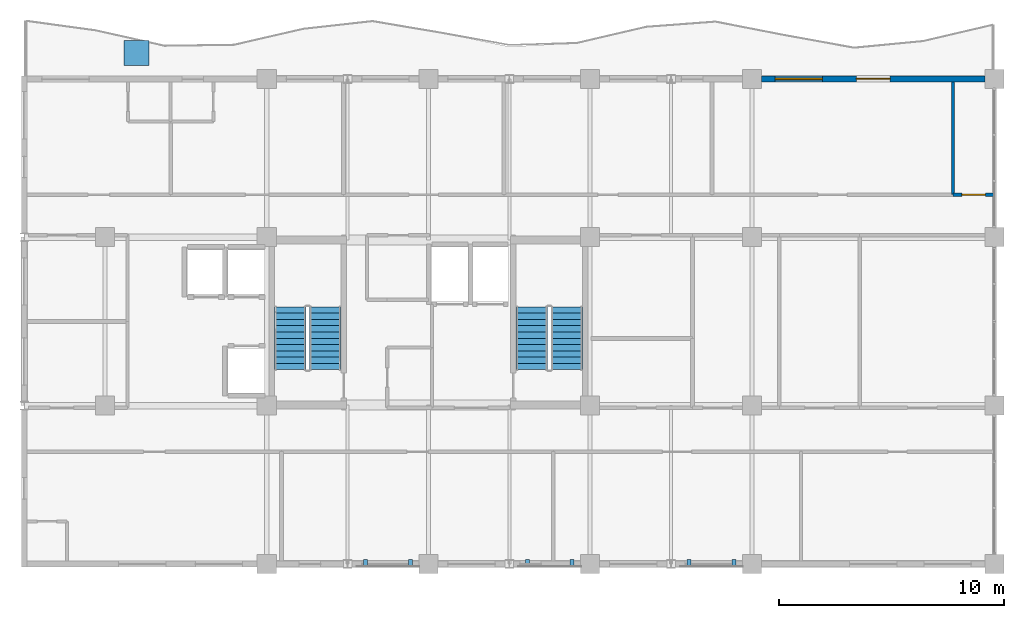
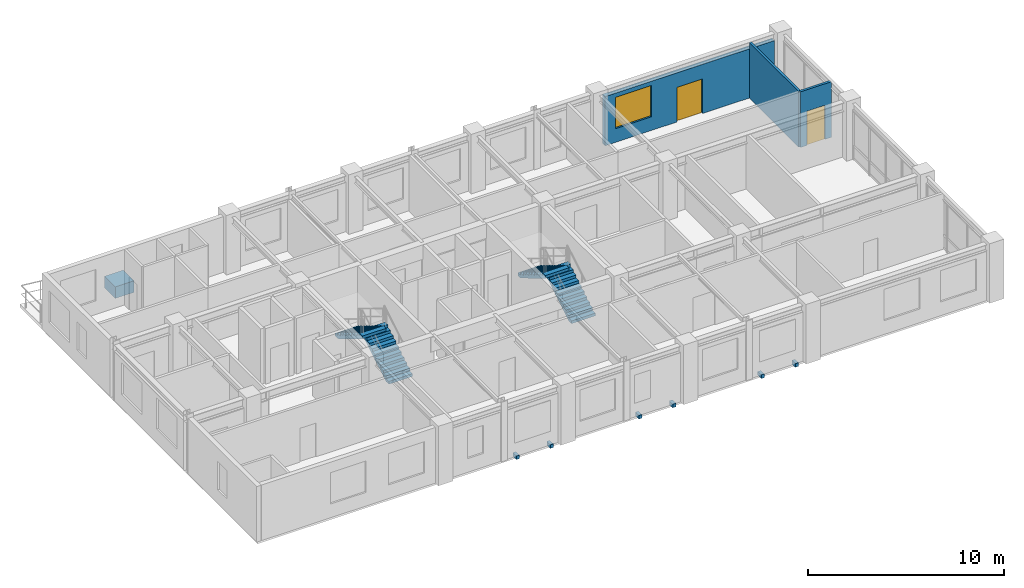
# One storey, part 9 of 11: 7 discrete accessories, 4 stair flights, 3 walls, 2 doors, 1 window, 3 openings, 2 elements without a shape of their own.
"""IFC4 building model written with IfcOpenShell, lengths in metres."""

from ifc_helpers import new_model, si_unit, direction, frame, frame_2d, origin, origin_2d, place, context, subcontext, project, spatial, polyline, rectangle, outline, extrude, source, transform, mapped, material, layer, layer_set, type_object, element, fill, aggregate, save


model = new_model("IFC4")

# Units and contexts
model_context = context("Model", 3, precision=1e-05, world=origin(), true_north=direction((0.0, 1.0)))
body_context = subcontext(model_context, "Body", "Model", "MODEL_VIEW")
ifc_project = project(units=[si_unit("LENGTHUNIT", "METRE"), si_unit("AREAUNIT", "SQUARE_METRE"), si_unit("VOLUMEUNIT", "CUBIC_METRE"), si_unit("PLANEANGLEUNIT", "RADIAN"), si_unit("MASSUNIT", "GRAM", prefix="KILO")], contexts=[model_context])

# Site, building, storey
site_placement = place(None, origin())
site = spatial("IfcSite", under=ifc_project, at=site_placement, CompositionType="ELEMENT")
building_placement = place(site_placement, origin())
building = spatial("IfcBuilding", under=site, at=building_placement, Name="Kaliganga Portal Commons", CompositionType="ELEMENT")
storey_placement = place(building_placement, frame((0.0, 0.0, 264.699951171875)))
storey = spatial("IfcBuildingStorey", under=building, at=storey_placement, Name="L68", CompositionType="ELEMENT", Elevation=264.699951171875)

# Wall, openings, door, window
ifc_material_1 = material(Name="Insulated Aluminium-Clad Spandrel Assembly", Category="aluminium")
ifc_layer_1 = layer(ifc_material_1, 0.260009765625)
ifc_layer_set_1 = layer_set([ifc_layer_1], Name="Insulated Aluminium-Clad Spandrel Assembly")
wall_type_1 = type_object("IfcWallType", Name="WL-EXT-SPAND-260", PredefinedType="STANDARD", material=ifc_layer_set_1)
wall_1_placement = place(storey_placement, frame((36.426025390625, 43.199951171875, 0.0), z_axis=(0.0, 0.0, 1.0), x_axis=(1.0, 0.0, 0.0)))
wall_1 = element("IfcWall", 1, at=wall_1_placement, inside=storey, type_object=wall_type_1, Name="Exterior Envelope Wall L68 P1-E02-S1", PredefinedType="STANDARD", context=body_context, shape_type="SweptSolid", body=[
    extrude(rectangle(XDim=9.947998046875, YDim=0.260009765625, at=frame_2d((4.97412109375, 0.0))), origin(), (0.0, 0.0, 1.0), 3.054931640625),
])
opening_1_placement = place(wall_1_placement, frame((4.22412109375, 0.0, 0.0)))
opening_1 = element("IfcOpeningElement", 2, at=opening_1_placement, cuts=wall_1, Name="Opening BD-01", PredefinedType="OPENING", context=body_context, shape_type="SweptSolid", body=[
    extrude(rectangle(XDim=1.5, YDim=2.14990234375, at=frame_2d((0.75, 1.074951171875))), frame((0.0, 0.14013671875, 0.0), z_axis=(0.0, -1.0, 0.0), x_axis=(1.0, 0.0, 0.0)), (0.0, 0.0, 1.0), 0.280029296875),
])
opening_2_placement = place(wall_1_placement, frame((0.60791015625, 0.0, 0.85009765625)))
opening_2 = element("IfcOpeningElement", 3, at=opening_2_placement, cuts=wall_1, Name="Opening W-06", PredefinedType="OPENING", context=body_context, shape_type="SweptSolid", body=[
    extrude(rectangle(XDim=2.10009765625, YDim=1.949951171875, at=frame_2d((1.050048828125, 0.97509765625))), frame((0.0, 0.14013671875, 0.0), z_axis=(0.0, -1.0, 0.0), x_axis=(1.0, 0.0, 0.0)), (0.0, 0.0, 1.0), 0.280029296875),
])
ifc_material_2 = material(Name="Anodized Aluminium and Laminated Safety Glass", Category="aluminium")
door_type_1 = type_object("IfcDoorType", Name="DR-BALC-1500", OperationType="SLIDING_TO_LEFT", PredefinedType="DOOR", material=ifc_material_2)
door_1_placement = place(opening_1_placement, origin())
door_1 = element("IfcDoor", 4, at=door_1_placement, inside=storey, type_object=door_type_1, Name="Balcony Sliding Door L68 balc_north", OperationType="SLIDING_TO_LEFT", OverallHeight=2.14990234375, OverallWidth=1.5, PredefinedType="DOOR", context=body_context, shape_type="SweptSolid", body=[
    extrude(rectangle(XDim=1.5, YDim=2.14990234375, at=frame_2d((0.75, 1.074951171875))), frame((0.0, 0.02490234375, 0.0), z_axis=(0.0, -1.0, 0.0), x_axis=(1.0, 0.0, 0.0)), (0.0, 0.0, 1.0), 0.050048828125),
])
fill(opening_1, door_1)
ifc_material_3 = material(Name="Thermally Broken Aluminium and Low-E Double Glazing", Category="aluminium")
window_type = type_object("IfcWindowType", Name="WIN-PAN-2100", PartitioningType="DOUBLE_PANEL_VERTICAL", PredefinedType="WINDOW", material=ifc_material_3)
window_placement = place(opening_2_placement, origin())
window = element("IfcWindow", 5, at=window_placement, inside=storey, type_object=window_type, Name="Facade Window L68-P1E02S1-00", OverallHeight=1.949951171875, OverallWidth=2.10009765625, PartitioningType="SINGLE_PANEL", PredefinedType="WINDOW", context=body_context, shape_type="SweptSolid", body=[
    extrude(rectangle(XDim=2.10009765625, YDim=1.949951171875, at=frame_2d((1.050048828125, 0.97509765625))), frame((0.0, 0.030029296875, 0.0), z_axis=(0.0, -1.0, 0.0), x_axis=(1.0, 0.0, 0.0)), (0.0, 0.0, 1.0), 0.06005859375),
])
fill(opening_2, window)

# Wall, opening, door
ifc_material_4 = material(Name="Fire-Rated Gypsum Board on Steel Stud", Category="steel")
ifc_layer_2 = layer(ifc_material_4, 0.14990234375)
ifc_layer_set_2 = layer_set([ifc_layer_2], Name="Fire-Rated Gypsum Board on Steel Stud")
wall_type_2 = type_object("IfcWallType", Name="WL-PART-CORR-150", PredefinedType="PARTITIONING", material=ifc_layer_set_2)
wall_2_placement = place(storey_placement, frame((44.9599609375, 38.0400390625, 0.0), z_axis=(0.0, 0.0, 1.0), x_axis=(1.0, 0.0, 0.0)))
wall_2 = element("IfcWall", 6, at=wall_2_placement, inside=storey, type_object=wall_type_2, Name="Interior Partition L68-040", PredefinedType="PARTITIONING", context=body_context, shape_type="SweptSolid", body=[
    extrude(rectangle(XDim=1.820068359375, YDim=0.14990234375, at=frame_2d((0.91015625, 0.0))), origin(), (0.0, 0.0, 1.0), 3.455078125),
])
opening_3_placement = place(wall_2_placement, frame((0.385009765625, 0.0, 0.0)))
opening_3 = element("IfcOpeningElement", 7, at=opening_3_placement, cuts=wall_2, Name="Opening UD-02", PredefinedType="OPENING", context=body_context, shape_type="SweptSolid", body=[
    extrude(rectangle(XDim=1.050048828125, YDim=2.1201171875, at=frame_2d((0.52490234375, 1.06005859375))), frame((0.0, 0.0849609375, 0.0), z_axis=(0.0, -1.0, 0.0), x_axis=(1.0, 0.0, 0.0)), (0.0, 0.0, 1.0), 0.169921875),
])
ifc_material_5 = material(Name="Accessible Wide-Leaf Acoustic Fire Door", Category="wood")
door_type_2 = type_object("IfcDoorType", Name="DR-ACC-1050", OperationType="NOTDEFINED", PredefinedType="DOOR", material=ifc_material_5)
door_2_placement = place(opening_3_placement, origin())
door_2 = element("IfcDoor", 8, at=door_2_placement, inside=storey, type_object=door_type_2, Name="Interior Door L68-AN06", OperationType="SINGLE_SWING_RIGHT", OverallHeight=2.1201171875, OverallWidth=1.050048828125, PredefinedType="DOOR", context=body_context, shape_type="SweptSolid", body=[
    extrude(rectangle(XDim=1.050048828125, YDim=2.1201171875, at=frame_2d((0.52490234375, 1.06005859375))), frame((0.0, 0.02490234375, 0.0), z_axis=(0.0, -1.0, 0.0), x_axis=(1.0, 0.0, 0.0)), (0.0, 0.0, 1.0), 0.050048828125),
])
fill(opening_3, door_2)

# Wall
ifc_material_6 = material(Name="Cement-Board Wet-Room Partition", Category="gypsum")
ifc_layer_3 = layer(ifc_material_6, 0.135009765625)
ifc_layer_set_3 = layer_set([ifc_layer_3], Name="Cement-Board Wet-Room Partition")
wall_type_3 = type_object("IfcWallType", Name="WL-PART-WET-135", PredefinedType="PARTITIONING", material=ifc_layer_set_3)
wall_3_placement = place(storey_placement, frame((44.9599609375, 38.0400390625, 0.0), z_axis=(0.0, 0.0, 1.0), x_axis=(0.0, 1.0, 0.0)))
element("IfcWall", 9, at=wall_3_placement, inside=storey, type_object=wall_type_3, Name="Interior Partition L68-047", PredefinedType="PARTITIONING", context=body_context, shape_type="SweptSolid", body=[
    extrude(rectangle(XDim=5.028076171875, YDim=0.135009765625, at=frame_2d((2.51416015625, 0.0))), origin(), (0.0, 0.0, 1.0), 3.455078125),
])

# Stair, stair flights
ifc_material_7 = material(Name="Concrete C40/50", Category="concrete")
stair_type = type_object("IfcStairType", Name="ST-CORE-DOGLEG", PredefinedType="HALF_TURN_STAIR", material=ifc_material_7)
stair_1_placement = place(storey_placement, origin())
stair_1 = element("IfcStair", 10, at=stair_1_placement, inside=storey, type_object=stair_type, Name="L68 Protected Exit Stair ST-A1", PredefinedType="HALF_TURN_STAIR")
stair_flight_type = type_object("IfcStairFlightType", Name="STF-RC-1400", PredefinedType="STRAIGHT", material=ifc_material_7)
stair_flight_1_placement = place(storey_placement, frame((17.0, 30.25, 0.0), z_axis=(0.0, 0.0, 1.0), x_axis=(0.0, 1.0, 0.0)))
stair_flight_1 = element("IfcStairFlight", 11, at=stair_flight_1_placement, type_object=stair_flight_type, Name="ST-A1 flight 1", NumberOfRisers=11, NumberOfTreads=10, PredefinedType="STRAIGHT", RiserHeight=0.168181818, TreadLength=0.28, context=body_context, shape_type="SweptSolid", body=[
    extrude(outline(polyline([(0.0, 0.0), (0.0, 0.168212890625), (0.280029296875, 0.168212890625), (0.280029296875, 0.33642578125), (0.56005859375, 0.33642578125), (0.56005859375, 0.504638671875), (0.840087890625, 0.504638671875), (0.840087890625, 0.672607421875), (1.1201171875, 0.672607421875), (1.1201171875, 0.8408203125), (1.39990234375, 0.8408203125), (1.39990234375, 1.009033203125), (1.679931640625, 1.009033203125), (1.679931640625, 1.17724609375), (1.9599609375, 1.17724609375), (1.9599609375, 1.345458984375), (2.239990234375, 1.345458984375), (2.239990234375, 1.513671875), (2.52001953125, 1.513671875), (2.52001953125, 1.681884765625), (2.800048828125, 1.681884765625), (2.800048828125, 1.85009765625), (2.800048828125, 1.5068359375), (0.291015625, 0.0), (0.0, 0.0)])), frame((0.0, 0.699951171875, 0.0), z_axis=(0.0, -1.0, 0.0), x_axis=(1.0, 0.0, 0.0)), (0.0, 0.0, 1.0), 1.39990234375),
])
stair_flight_2_placement = place(storey_placement, frame((15.449951171875, 33.050048828125, 1.85009765625), z_axis=(0.0, 0.0, 1.0), x_axis=(0.0, -1.0, 0.0)))
stair_flight_2 = element("IfcStairFlight", 12, at=stair_flight_2_placement, type_object=stair_flight_type, Name="ST-A1 flight 2", NumberOfRisers=11, NumberOfTreads=10, PredefinedType="STRAIGHT", RiserHeight=0.168181818, TreadLength=0.28, context=body_context, shape_type="SweptSolid", body=[
    extrude(outline(polyline([(0.0, 0.0), (0.0, 0.168212890625), (0.280029296875, 0.168212890625), (0.280029296875, 0.33642578125), (0.56005859375, 0.33642578125), (0.56005859375, 0.504638671875), (0.840087890625, 0.504638671875), (0.840087890625, 0.672607421875), (1.1201171875, 0.672607421875), (1.1201171875, 0.8408203125), (1.39990234375, 0.8408203125), (1.39990234375, 1.009033203125), (1.679931640625, 1.009033203125), (1.679931640625, 1.17724609375), (1.9599609375, 1.17724609375), (1.9599609375, 1.345458984375), (2.239990234375, 1.345458984375), (2.239990234375, 1.513671875), (2.52001953125, 1.513671875), (2.52001953125, 1.681884765625), (2.800048828125, 1.681884765625), (2.800048828125, 1.85009765625), (2.800048828125, 1.5068359375), (0.291015625, 0.0), (0.0, 0.0)])), frame((0.0, 0.699951171875, 0.0), z_axis=(0.0, -1.0, 0.0), x_axis=(1.0, 0.0, 0.0)), (0.0, 0.0, 1.0), 1.39990234375),
])
aggregate(stair_1, [stair_flight_1, stair_flight_2])

stair_2_placement = place(storey_placement, origin())
stair_2 = element("IfcStair", 13, at=stair_2_placement, inside=storey, type_object=stair_type, Name="L68 Protected Exit Stair ST-A2", PredefinedType="HALF_TURN_STAIR")
stair_flight_3_placement = place(storey_placement, frame((27.75, 30.25, 0.0), z_axis=(0.0, 0.0, 1.0), x_axis=(0.0, 1.0, 0.0)))
stair_flight_3 = element("IfcStairFlight", 14, at=stair_flight_3_placement, type_object=stair_flight_type, Name="ST-A2 flight 1", NumberOfRisers=11, NumberOfTreads=10, PredefinedType="STRAIGHT", RiserHeight=0.168181818, TreadLength=0.28, context=body_context, shape_type="SweptSolid", body=[
    extrude(outline(polyline([(0.0, 0.0), (0.0, 0.168212890625), (0.280029296875, 0.168212890625), (0.280029296875, 0.33642578125), (0.56005859375, 0.33642578125), (0.56005859375, 0.504638671875), (0.840087890625, 0.504638671875), (0.840087890625, 0.672607421875), (1.1201171875, 0.672607421875), (1.1201171875, 0.8408203125), (1.39990234375, 0.8408203125), (1.39990234375, 1.009033203125), (1.679931640625, 1.009033203125), (1.679931640625, 1.17724609375), (1.9599609375, 1.17724609375), (1.9599609375, 1.345458984375), (2.239990234375, 1.345458984375), (2.239990234375, 1.513671875), (2.52001953125, 1.513671875), (2.52001953125, 1.681884765625), (2.800048828125, 1.681884765625), (2.800048828125, 1.85009765625), (2.800048828125, 1.5068359375), (0.291015625, 0.0), (0.0, 0.0)])), frame((0.0, 0.699951171875, 0.0), z_axis=(0.0, -1.0, 0.0), x_axis=(1.0, 0.0, 0.0)), (0.0, 0.0, 1.0), 1.39990234375),
])
stair_flight_4_placement = place(storey_placement, frame((26.199951171875, 33.050048828125, 1.85009765625), z_axis=(0.0, 0.0, 1.0), x_axis=(0.0, -1.0, 0.0)))
stair_flight_4 = element("IfcStairFlight", 15, at=stair_flight_4_placement, type_object=stair_flight_type, Name="ST-A2 flight 2", NumberOfRisers=11, NumberOfTreads=10, PredefinedType="STRAIGHT", RiserHeight=0.168181818, TreadLength=0.28, context=body_context, shape_type="SweptSolid", body=[
    extrude(outline(polyline([(0.0, 0.0), (0.0, 0.168212890625), (0.280029296875, 0.168212890625), (0.280029296875, 0.33642578125), (0.56005859375, 0.33642578125), (0.56005859375, 0.504638671875), (0.840087890625, 0.504638671875), (0.840087890625, 0.672607421875), (1.1201171875, 0.672607421875), (1.1201171875, 0.8408203125), (1.39990234375, 0.8408203125), (1.39990234375, 1.009033203125), (1.679931640625, 1.009033203125), (1.679931640625, 1.17724609375), (1.9599609375, 1.17724609375), (1.9599609375, 1.345458984375), (2.239990234375, 1.345458984375), (2.239990234375, 1.513671875), (2.52001953125, 1.513671875), (2.52001953125, 1.681884765625), (2.800048828125, 1.681884765625), (2.800048828125, 1.85009765625), (2.800048828125, 1.5068359375), (0.291015625, 0.0), (0.0, 0.0)])), frame((0.0, 0.699951171875, 0.0), z_axis=(0.0, -1.0, 0.0), x_axis=(1.0, 0.0, 0.0)), (0.0, 0.0, 1.0), 1.39990234375),
])
aggregate(stair_2, [stair_flight_3, stair_flight_4])

# Discrete accessories
ifc_material_8 = material(Name="Precast concrete C40/50", Category="concrete")
discrete_accessory_type_1 = type_object("IfcDiscreteAccessoryType", Name="DAC-PLANTER-RC", PredefinedType="USERDEFINED", material=ifc_material_8)
shared_shape_1 = source(origin(), body_context, "Body", "SweptSolid", [
    extrude(rectangle(XDim=1.10009765625, YDim=1.10009765625, at=origin_2d()), origin(), (0.0, 0.0, 1.0), 0.719970703125),
])
discrete_accessory_placement = place(storey_placement, frame((8.60009765625, 44.35009765625, 0.0), z_axis=(0.0, 0.0, 1.0), x_axis=(1.0, 0.0, 0.0)))
element("IfcDiscreteAccessory", 16, at=discrete_accessory_placement, inside=storey, type_object=discrete_accessory_type_1, Name="Structural Tree Planter L68 balc_north", ObjectType="PLANTER", PredefinedType="USERDEFINED", context=body_context, shape_type="MappedRepresentation", body=[
    mapped(shared_shape_1, transform((0.0, 0.0, 0.0), x_axis=(1.0, 0.0, 0.0), y_axis=(0.0, 1.0, 0.0), z_axis=(0.0, 0.0, 1.0), scale=1.0)),
])
ifc_material_9 = material(Name="Structural steel S355J2", Category="steel")
discrete_accessory_type_2 = type_object("IfcDiscreteAccessoryType", Name="DAC-BRK-SCR", PredefinedType="BRACKET", material=ifc_material_9)
shared_shape_2 = source(origin(), body_context, "Body", "SweptSolid", [
    extrude(rectangle(XDim=0.179931640625, YDim=0.360107421875, at=origin_2d()), origin(), (0.0, 0.0, 1.0), 0.219970703125),
])
for number, where, z_axis, x_axis, name in (
    (17, (18.800048828125, 21.6201171875, -0.18994140625), (0.0, 0.0, 1.0), (1.0, 0.0, 0.0), "Solar Screen Outrigger Bracket L68-S1-1"),
    (18, (20.800048828125, 21.6201171875, -0.18994140625), (0.0, 0.0, 1.0), (1.0, 0.0, 0.0), "Solar Screen Outrigger Bracket L68-S1-2"),
    (19, (26.0, 21.6201171875, -0.18994140625), (0.0, 0.0, 1.0), (1.0, 0.0, 0.0), "Solar Screen Outrigger Bracket L68-S2-1"),
    (20, (28.0, 21.6201171875, -0.18994140625), (0.0, 0.0, 1.0), (1.0, 0.0, 0.0), "Solar Screen Outrigger Bracket L68-S2-2"),
    (21, (33.199951171875, 21.6201171875, -0.18994140625), (0.0, 0.0, 1.0), (1.0, 0.0, 0.0), "Solar Screen Outrigger Bracket L68-S3-1"),
    (22, (35.199951171875, 21.6201171875, -0.18994140625), (0.0, 0.0, 1.0), (1.0, 0.0, 0.0), "Solar Screen Outrigger Bracket L68-S3-2"),
):
    element("IfcDiscreteAccessory", number, at=place(storey_placement, frame(where, z_axis=z_axis, x_axis=x_axis)), inside=storey, type_object=discrete_accessory_type_2, Name=name, PredefinedType="BRACKET", context=body_context, shape_type="MappedRepresentation", body=[
        mapped(shared_shape_2, transform((0.0, 0.0, 0.0), x_axis=(1.0, 0.0, 0.0), y_axis=(0.0, 1.0, 0.0), z_axis=(0.0, 0.0, 1.0), scale=1.0)),
    ])

save(model, "model.ifc")
